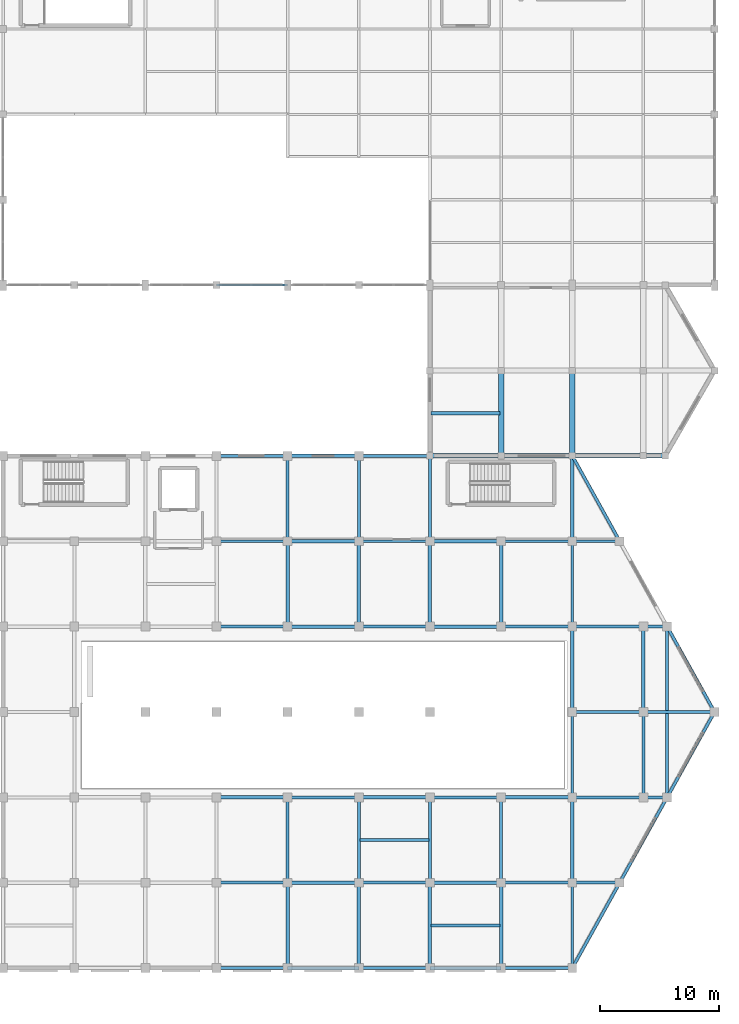
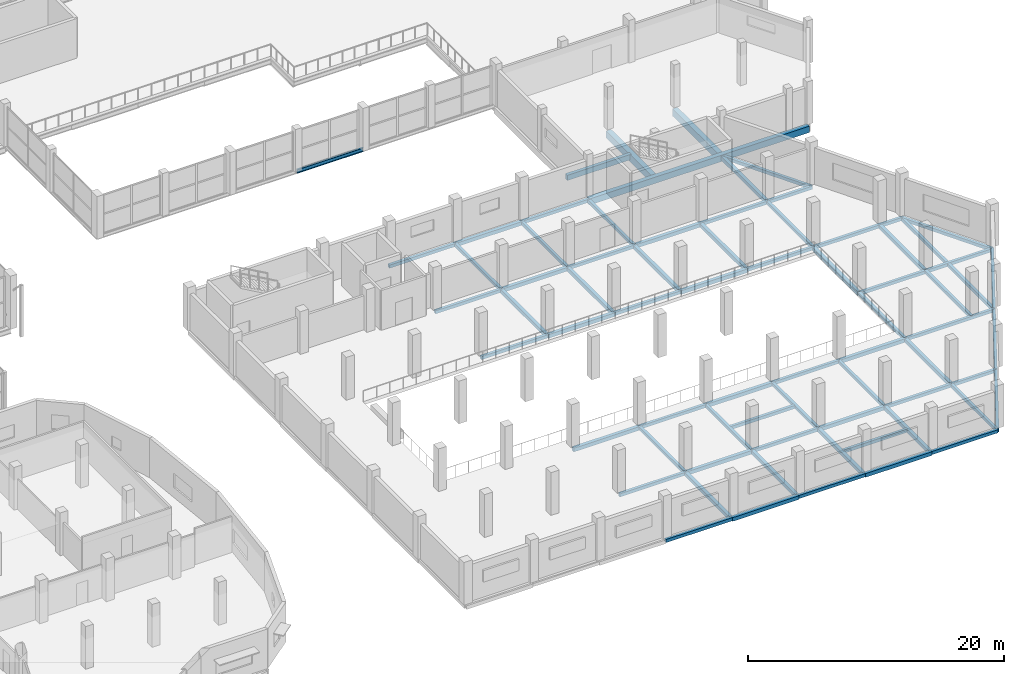
# One storey, part 72 of 127: 69 beams.
"""IFC4 building model written with IfcOpenShell, lengths in metres."""

import ifcopenshell
import ifcopenshell.guid

model = None  # the IFC model being written
_history = None  # IfcOwnerHistory: only IFC2X3 demands one
_inside = {}  # id of a spatial element -> (the spatial element, [elements in it])
_under = {}  # id of a project, library or spatial element -> (it, [spatial elements below it])
_declared = {}  # id of a project -> (the project, [libraries it declares])
_typed = {}  # id of a type object -> (the type object, [elements of that type])
_made_of = {}  # id of a material, layer set ... -> (it, [elements and type objects made of it])


def new_model(schema):
    """Start an empty IFC model of exactly this schema.

    Asked for "IFC4X3", IfcOpenShell would pick the latest addendum, in which some entities
    have other attributes; the version numbers below select the first issue.
    IFC2X3 requires an IfcOwnerHistory on every rooted entity: one is made here for all.
    """
    global model, _history
    if schema == "IFC4X3":
        model = ifcopenshell.file(schema_version=(4, 3, 0, 0))
    else:
        model = ifcopenshell.file(schema=schema)
    _inside.clear()
    _under.clear()
    _declared.clear()
    _typed.clear()
    _made_of.clear()
    _history = None
    if model.schema == "IFC2X3":
        org = make("IfcOrganization", Name="unknown")
        user = make(
            "IfcPersonAndOrganization",
            ThePerson=make("IfcPerson", FamilyName="unknown"),
            TheOrganization=org,
        )
        app = make(
            "IfcApplication",
            ApplicationDeveloper=org,
            Version="unknown",
            ApplicationFullName="unknown",
            ApplicationIdentifier="unknown",
        )
        _history = make(
            "IfcOwnerHistory",
            OwningUser=user,
            OwningApplication=app,
            ChangeAction="ADDED",
            CreationDate=0,
        )
    return model


def make(cls, **values):
    """One entity of the class cls with the attributes given. An attribute that is None is left unset."""
    return model.create_entity(
        cls, **{name: value for name, value in values.items() if value is not None}
    )


def rooted(cls, **values):
    """An entity with a GlobalId (a new one), such as an element, a storey or a relation."""
    return make(cls, GlobalId=ifcopenshell.guid.new(), OwnerHistory=_history, **values)


def si_unit(unit_type, name, prefix=None):
    """IfcSIUnit, for example si_unit("LENGTHUNIT", "METRE", prefix="MILLI")."""
    return make("IfcSIUnit", UnitType=unit_type, Prefix=prefix, Name=name)


def assignment(units):
    """IfcUnitAssignment: the units of a project."""
    return None if units is None else make("IfcUnitAssignment", Units=units)


def point(xyz):
    """IfcCartesianPoint."""
    return None if xyz is None else make("IfcCartesianPoint", Coordinates=xyz)


def direction(xyz):
    """IfcDirection."""
    return None if xyz is None else make("IfcDirection", DirectionRatios=xyz)


def frame(location, z_axis=None, x_axis=None):
    """IfcAxis2Placement3D, a coordinate frame: its origin and axes. An axis left out is left unset."""
    return make(
        "IfcAxis2Placement3D",
        Location=point(location),
        Axis=direction(z_axis),
        RefDirection=direction(x_axis),
    )


def frame_2d(location, x_axis=None):
    """IfcAxis2Placement2D, a coordinate frame in the plane: its origin and x axis."""
    return make(
        "IfcAxis2Placement2D", Location=point(location), RefDirection=direction(x_axis)
    )


def origin():
    """The frame at (0, 0, 0) with its axes left unset."""
    return frame((0.0, 0.0, 0.0))


def origin_2d():
    """The frame at (0, 0) in the plane with its x axis left unset."""
    return frame_2d((0.0, 0.0))


def place(relative_to, where):
    """IfcLocalPlacement: puts the frame where relative to a parent placement (None: the world)."""
    return make(
        "IfcLocalPlacement", PlacementRelTo=relative_to, RelativePlacement=where
    )


def context(
    kind, dimensions, precision=None, world=None, true_north=None, identifier=None
):
    """IfcGeometricRepresentationContext, for example the 3D "Model" context."""
    return make(
        "IfcGeometricRepresentationContext",
        ContextIdentifier=identifier,
        ContextType=kind,
        CoordinateSpaceDimension=dimensions,
        Precision=precision,
        WorldCoordinateSystem=world,
        TrueNorth=true_north,
    )


def subcontext(parent, identifier, kind, view, scale=None):
    """IfcGeometricRepresentationSubContext, for example "Body" below "Model"."""
    return make(
        "IfcGeometricRepresentationSubContext",
        ContextIdentifier=identifier,
        ContextType=kind,
        ParentContext=parent,
        TargetScale=scale,
        TargetView=view,
    )


def project(units=None, contexts=None):
    """IfcProject with its units and contexts."""
    return rooted(
        "IfcProject",
        Name="project",
        RepresentationContexts=contexts,
        UnitsInContext=assignment(units),
    )


def spatial(cls, under=None, at=None, **own):
    """A site, building, storey or space (cls), placed at a placement, below another one or the project."""
    s = rooted(cls, ObjectPlacement=at, **own)
    if under is not None:
        _under.setdefault(under.id(), (under, []))[1].append(s)
    return s


def profile(cls, at=None, kind="AREA", **sizes):
    """A parametric profile (cls). Its sizes go by their IFC names, for example OverallWidth=200.0."""
    return make(cls, ProfileType=kind, Position=at, **sizes)


def rectangle(**sizes):
    """IfcRectangleProfileDef."""
    return profile("IfcRectangleProfileDef", **sizes)


def i_section(**sizes):
    """IfcIShapeProfileDef."""
    return profile("IfcIShapeProfileDef", **sizes)


def extrude(swept, where, along, depth):
    """IfcExtrudedAreaSolid: the profile swept, set in the frame where, extruded along a direction by depth."""
    return make(
        "IfcExtrudedAreaSolid",
        SweptArea=swept,
        Position=where,
        ExtrudedDirection=direction(along),
        Depth=depth,
    )


def shape(context_of_items, identifier, shape_type, items):
    """IfcShapeRepresentation: the items that make up one representation, for example the "Body"."""
    return make(
        "IfcShapeRepresentation",
        ContextOfItems=context_of_items,
        RepresentationIdentifier=identifier,
        RepresentationType=shape_type,
        Items=items,
    )


def material(Name=None, Category=None):
    """IfcMaterial."""
    return make("IfcMaterial", Name=Name, Category=Category)


def material_profile(
    of_material, cross_section, Name=None, Category=None, Priority=None
):
    """IfcMaterialProfile: a cross section and its material."""
    return make(
        "IfcMaterialProfile",
        Name=Name,
        Material=of_material,
        Profile=cross_section,
        Priority=Priority,
        Category=Category,
    )


def profile_set(profiles, Name=None, composite=None):
    """IfcMaterialProfileSet."""
    return make(
        "IfcMaterialProfileSet",
        Name=Name,
        MaterialProfiles=profiles,
        CompositeProfile=composite,
    )


def made_of(thing, what):
    """Note that an element or type object is made of a material, layer set ...; save() writes the relation."""
    if what is not None:
        _made_of.setdefault(what.id(), (what, []))[1].append(thing)
    return thing


def type_object(cls, material=None, **own):
    """A type object (cls), such as IfcWallType, which elements share."""
    return made_of(rooted(cls, **own), material)


def element(
    cls,
    number,
    at=None,
    inside=None,
    cuts=None,
    type_object=None,
    material=None,
    context=None,
    identifier="Body",
    shape_type=None,
    held_by="IfcProductDefinitionShape",
    body=None,
    shapes=None,
    **own,
):
    """One element of the class cls, such as IfcWall. Its Tag is "e" and its number.

    at: its placement. inside: the storey or other place that contains it. cuts: it is an
    opening in that element (IfcRelVoidsElement). A single representation is given by context,
    identifier, shape_type and body (its items); several are given by shapes. held_by: the class
    of the entity that holds the representations. save() writes the other relations.
    """
    e = rooted(cls, Tag="e%d" % number, ObjectPlacement=at, **own)
    if body is not None:
        shapes = [shape(context, identifier, shape_type, body)]
    if shapes is not None:
        e.Representation = make(held_by, Representations=shapes)
    if inside is not None:
        _inside.setdefault(inside.id(), (inside, []))[1].append(e)
    if cuts is not None:
        rooted(
            "IfcRelVoidsElement", RelatingBuildingElement=cuts, RelatedOpeningElement=e
        )
    if type_object is not None:
        _typed.setdefault(type_object.id(), (type_object, []))[1].append(e)
    return made_of(e, material)


def aggregate(whole, parts):
    """IfcRelAggregates: a whole, such as a stair, and the parts it consists of."""
    return rooted("IfcRelAggregates", RelatingObject=whole, RelatedObjects=parts)


def save(model, path):
    """Write the relations noted so far, then the file.

    IfcRelAggregates (storeys below a building ...), IfcRelContainedInSpatialStructure (elements
    in a storey), IfcRelDefinesByType, IfcRelAssociatesMaterial and IfcRelDeclares: one each for
    every whole, place, type object, material and project.
    """
    for whole, parts in _under.values():
        aggregate(whole, parts)
    for where, things in _inside.values():
        rooted(
            "IfcRelContainedInSpatialStructure",
            RelatedElements=things,
            RelatingStructure=where,
        )
    for kind, things in _typed.values():
        rooted("IfcRelDefinesByType", RelatedObjects=things, RelatingType=kind)
    for what, things in _made_of.values():
        rooted("IfcRelAssociatesMaterial", RelatedObjects=things, RelatingMaterial=what)
    for by, libraries in _declared.values():
        rooted("IfcRelDeclares", RelatingContext=by, RelatedDefinitions=libraries)
    model.write(path)


model = new_model("IFC4")

# Units and contexts
model_context = context("Model", 3, precision=1e-05, world=origin(), true_north=direction((0.0, 1.0)))
body_context = subcontext(model_context, "Body", "Model", "MODEL_VIEW")
ifc_project = project(units=[si_unit("LENGTHUNIT", "METRE"), si_unit("AREAUNIT", "SQUARE_METRE"), si_unit("VOLUMEUNIT", "CUBIC_METRE"), si_unit("PLANEANGLEUNIT", "RADIAN"), si_unit("MASSUNIT", "GRAM", prefix="KILO")], contexts=[model_context])

# Site, building, storey
site_placement = place(None, origin())
site = spatial("IfcSite", under=ifc_project, at=site_placement, CompositionType="ELEMENT")
building_placement = place(site_placement, origin())
building = spatial("IfcBuilding", under=site, at=building_placement, Name="Dunvalen Ferry Terminal", CompositionType="ELEMENT")
storey_placement = place(building_placement, frame((0.0, 0.0, 5.760009765625)))
storey = spatial("IfcBuildingStorey", under=building, at=storey_placement, Name="L01", CompositionType="ELEMENT", Elevation=5.760009765625)

# Beams
ifc_material_1 = material(Name="Steel S355", Category="steel")
ifc_material_profile_1 = material_profile(ifc_material_1, i_section(OverallWidth=0.169921875, OverallDepth=0.360107421875, WebThickness=0.008056640625, FlangeThickness=0.0126953125, FilletRadius=0.01806640625, at=origin_2d()), Name="Steel S355")
ifc_profile_set_1 = profile_set([ifc_material_profile_1], Name="Steel S355")
beam_type_1 = type_object("IfcBeamType", Name="STR-BM-IPE360", PredefinedType="BEAM", material=ifc_profile_set_1)
beam_1_placement = place(storey_placement, frame((126.0, 57.60009765625, -0.159912109375), z_axis=(1.0, 0.0, 0.0), x_axis=(0.0, 1.0, 0.0)))
element("IfcBeam", 1, at=beam_1_placement, inside=storey, type_object=beam_type_1, Name="Arrivals Hall South Curtain-Wall Girt 04", PredefinedType="BEAM", context=body_context, shape_type="SweptSolid", body=[
    extrude(i_section(OverallWidth=0.169921875, OverallDepth=0.360107421875, WebThickness=0.008056640625, FlangeThickness=0.0126953125, FilletRadius=0.01806640625, at=origin_2d()), origin(), (0.0, 0.0, 1.0), 6.0),
])
ifc_material_2 = material(Name="Concrete C35/45", Category="concrete")
ifc_material_profile_2 = material_profile(ifc_material_2, rectangle(XDim=0.300048828125, YDim=0.5, at=origin_2d()), Name="Concrete C35/45")
ifc_profile_set_2 = profile_set([ifc_material_profile_2], Name="Concrete C35/45")
beam_type_2 = type_object("IfcBeamType", Name="STR-BM-RCB500", PredefinedType="JOIST", material=ifc_profile_set_2)
beam_2_placement = place(storey_placement, frame((144.10009765625, 46.800048828125, -0.510009765625), z_axis=(1.0, 0.0, 0.0), x_axis=(0.0, 1.0, 0.0)))
element("IfcBeam", 2, at=beam_2_placement, inside=storey, type_object=beam_type_2, Name="L01 V2A Secondary Joist 001", PredefinedType="JOIST", context=body_context, shape_type="SweptSolid", body=[
    extrude(rectangle(XDim=0.300048828125, YDim=0.5, at=origin_2d()), origin(), (0.0, 0.0, 1.0), 5.7998046875),
])
ifc_material_profile_3 = material_profile(ifc_material_2, rectangle(XDim=0.39990234375, YDim=0.60009765625, at=origin_2d()), Name="Concrete C35/45")
ifc_profile_set_3 = profile_set([ifc_material_profile_3], Name="Concrete C35/45")
beam_type_3 = type_object("IfcBeamType", Name="STR-BM-RCB600", PredefinedType="BEAM", material=ifc_profile_set_3)
beam_3_placement = place(storey_placement, frame((144.0, 43.199951171875, -0.56005859375), z_axis=(1.0, 0.0, 0.0), x_axis=(0.0, 1.0, 0.0)))
element("IfcBeam", 3, at=beam_3_placement, inside=storey, type_object=beam_type_3, Name="L01 Customs Annex Ring Beam 01", PredefinedType="BEAM", context=body_context, shape_type="SweptSolid", body=[
    extrude(rectangle(XDim=0.39990234375, YDim=0.60009765625, at=origin_2d()), origin(), (0.0, 0.0, 1.0), 19.843017578125),
])
ifc_material_3 = material(Name="Concrete C40/50", Category="concrete")
ifc_material_profile_4 = material_profile(ifc_material_3, rectangle(XDim=0.449951171875, YDim=0.699951171875, at=origin_2d()), Name="Concrete C40/50")
ifc_profile_set_4 = profile_set([ifc_material_profile_4], Name="Concrete C40/50")
beam_type_4 = type_object("IfcBeamType", Name="STR-BM-RCB700", PredefinedType="BEAM", material=ifc_profile_set_4)
for number, where, z_axis, x_axis, name in (
    (4, (150.0, 43.199951171875, -0.610107421875), (0.0, 1.0, 0.0), (-1.0, 0.0, 0.0), "L01 V2A Primary Girder Y-015"),
    (5, (156.0, 43.199951171875, -0.610107421875), (0.0, 1.0, 0.0), (-1.0, 0.0, 0.0), "L01 V2A Primary Girder Y-017"),
):
    element("IfcBeam", number, at=place(storey_placement, frame(where, z_axis=z_axis, x_axis=x_axis)), inside=storey, type_object=beam_type_4, Name=name, PredefinedType="BEAM", context=body_context, shape_type="SweptSolid", body=[
        extrude(rectangle(XDim=0.449951171875, YDim=0.699951171875, at=origin_2d()), origin(), (0.0, 0.0, 1.0), 7.199951171875),
    ])
ifc_material_profile_5 = material_profile(ifc_material_2, rectangle(XDim=0.25, YDim=0.300048828125, at=origin_2d()), Name="Concrete C35/45")
ifc_profile_set_5 = profile_set([ifc_material_profile_5], Name="Concrete C35/45")
beam_type_5 = type_object("IfcBeamType", Name="STR-BM-RCL300", PredefinedType="LINTEL", material=ifc_profile_set_5)
for number, where, z_axis, x_axis, name in (
    (6, (156.0, 0.0, -0.469970703125), (0.485645447903, 0.874155877937, 0.0), (-0.874155877937, 0.485645447903, 0.0), "L01 Hexagon-Cut Wing Perimeter Beam 1"),
    (7, (160.0, 7.199951171875, -0.469970703125), (0.485645447903, 0.874155877937, 0.0), (-0.874155877937, 0.485645447903, 0.0), "L01 Hexagon-Cut Wing Perimeter Beam 2"),
    (8, (164.0, 14.39990234375, -0.469970703125), (0.485632864501, 0.874162868644, 0.0), (-0.874162868644, 0.485632864501, 0.0), "L01 Hexagon-Cut Wing Perimeter Beam 3"),
    (9, (168.0, 21.60009765625, -0.469970703125), (-0.485645447903, 0.874155877937, 0.0), (-0.874155877937, -0.485645447903, 0.0), "L01 Hexagon-Cut Wing Perimeter Beam 4"),
    (10, (160.0, 36.0, -0.469970703125), (-0.485645447903, 0.874155877937, 0.0), (-0.874155877937, -0.485645447903, 0.0), "L01 Hexagon-Cut Wing Perimeter Beam 6"),
):
    element("IfcBeam", number, at=place(storey_placement, frame(where, z_axis=z_axis, x_axis=x_axis)), inside=storey, type_object=beam_type_5, Name=name, PredefinedType="LINTEL", context=body_context, shape_type="SweptSolid", body=[
        extrude(rectangle(XDim=0.25, YDim=0.300048828125, at=origin_2d()), origin(), (0.0, 0.0, 1.0), 8.236572265625),
    ])
beam_4_placement = place(storey_placement, frame((156.0, 7.199951171875, -0.469970703125), z_axis=(1.0, 0.0, 0.0), x_axis=(0.0, 1.0, 0.0)))
element("IfcBeam", 11, at=beam_4_placement, inside=storey, type_object=beam_type_5, Name="L01 Hexagon-Cut Wing Tie Beam Y7", PredefinedType="LINTEL", context=body_context, shape_type="SweptSolid", body=[
    extrude(rectangle(XDim=0.25, YDim=0.300048828125, at=origin_2d()), origin(), (0.0, 0.0, 1.0), 4.0),
])
beam_5_placement = place(storey_placement, frame((156.0, 14.39990234375, -0.469970703125), z_axis=(1.0, 0.0, 0.0), x_axis=(0.0, 1.0, 0.0)))
element("IfcBeam", 12, at=beam_5_placement, inside=storey, type_object=beam_type_5, Name="L01 Hexagon-Cut Wing Tie Beam Y14", PredefinedType="LINTEL", context=body_context, shape_type="SweptSolid", body=[
    extrude(rectangle(XDim=0.25, YDim=0.300048828125, at=origin_2d()), origin(), (0.0, 0.0, 1.0), 8.0),
])
beam_6_placement = place(storey_placement, frame((156.0, 21.60009765625, -0.469970703125), z_axis=(1.0, 0.0, 0.0), x_axis=(0.0, 1.0, 0.0)))
element("IfcBeam", 13, at=beam_6_placement, inside=storey, type_object=beam_type_5, Name="L01 Hexagon-Cut Wing Tie Beam Y21", PredefinedType="LINTEL", context=body_context, shape_type="SweptSolid", body=[
    extrude(rectangle(XDim=0.25, YDim=0.300048828125, at=origin_2d()), origin(), (0.0, 0.0, 1.0), 12.0),
])
beam_7_placement = place(storey_placement, frame((156.0, 28.800048828125, -0.469970703125), z_axis=(1.0, 0.0, 0.0), x_axis=(0.0, 1.0, 0.0)))
element("IfcBeam", 14, at=beam_7_placement, inside=storey, type_object=beam_type_5, Name="L01 Hexagon-Cut Wing Tie Beam Y28", PredefinedType="LINTEL", context=body_context, shape_type="SweptSolid", body=[
    extrude(rectangle(XDim=0.25, YDim=0.300048828125, at=origin_2d()), origin(), (0.0, 0.0, 1.0), 8.0),
])
beam_8_placement = place(storey_placement, frame((156.0, 36.0, -0.469970703125), z_axis=(1.0, 0.0, 0.0), x_axis=(0.0, 1.0, 0.0)))
element("IfcBeam", 15, at=beam_8_placement, inside=storey, type_object=beam_type_5, Name="L01 Hexagon-Cut Wing Tie Beam Y36", PredefinedType="LINTEL", context=body_context, shape_type="SweptSolid", body=[
    extrude(rectangle(XDim=0.25, YDim=0.300048828125, at=origin_2d()), origin(), (0.0, 0.0, 1.0), 4.0),
])
for number, where, z_axis, x_axis, name in (
    (16, (126.0, 0.0, -0.469970703125), (1.0, 0.0, 0.0), (0.0, 1.0, 0.0), "L01 V4 Primary Beam X-004"),
    (17, (138.0, 0.0, -0.469970703125), (1.0, 0.0, 0.0), (0.0, 1.0, 0.0), "L01 V4 Primary Beam X-006"),
    (18, (150.0, 0.0, -0.469970703125), (1.0, 0.0, 0.0), (0.0, 1.0, 0.0), "L01 V4 Primary Beam X-008"),
    (19, (126.0, 7.199951171875, -0.469970703125), (1.0, 0.0, 0.0), (0.0, 1.0, 0.0), "L01 V4 Primary Beam X-012"),
    (20, (138.0, 7.199951171875, -0.469970703125), (1.0, 0.0, 0.0), (0.0, 1.0, 0.0), "L01 V4 Primary Beam X-014"),
    (21, (150.0, 7.199951171875, -0.469970703125), (1.0, 0.0, 0.0), (0.0, 1.0, 0.0), "L01 V4 Primary Beam X-016"),
    (22, (132.0, 14.39990234375, -0.469970703125), (1.0, 0.0, 0.0), (0.0, 1.0, 0.0), "L01 V4 Primary Beam X-022"),
    (23, (144.0, 14.39990234375, -0.469970703125), (1.0, 0.0, 0.0), (0.0, 1.0, 0.0), "L01 V4 Primary Beam X-024"),
    (24, (126.0, 28.800048828125, -0.469970703125), (1.0, 0.0, 0.0), (0.0, 1.0, 0.0), "L01 V4 Primary Beam X-034"),
    (25, (138.0, 28.800048828125, -0.469970703125), (1.0, 0.0, 0.0), (0.0, 1.0, 0.0), "L01 V4 Primary Beam X-036"),
    (26, (150.0, 28.800048828125, -0.469970703125), (1.0, 0.0, 0.0), (0.0, 1.0, 0.0), "L01 V4 Primary Beam X-038"),
    (27, (126.0, 36.0, -0.469970703125), (1.0, 0.0, 0.0), (0.0, 1.0, 0.0), "L01 V4 Primary Beam X-044"),
    (28, (138.0, 36.0, -0.469970703125), (1.0, 0.0, 0.0), (0.0, 1.0, 0.0), "L01 V4 Primary Beam X-046"),
    (29, (150.0, 36.0, -0.469970703125), (1.0, 0.0, 0.0), (0.0, 1.0, 0.0), "L01 V4 Primary Beam X-048"),
    (30, (126.0, 43.199951171875, -0.469970703125), (1.0, 0.0, 0.0), (0.0, 1.0, 0.0), "L01 V4 Primary Beam X-052"),
    (31, (138.0, 43.199951171875, -0.469970703125), (1.0, 0.0, 0.0), (0.0, 1.0, 0.0), "L01 V4 Primary Beam X-054"),
):
    element("IfcBeam", number, at=place(storey_placement, frame(where, z_axis=z_axis, x_axis=x_axis)), inside=storey, type_object=beam_type_5, Name=name, PredefinedType="LINTEL", context=body_context, shape_type="SweptSolid", body=[
        extrude(rectangle(XDim=0.25, YDim=0.300048828125, at=origin_2d()), origin(), (0.0, 0.0, 1.0), 6.0),
    ])
for number, where, z_axis, x_axis, name in (
    (32, (132.0, 7.199951171875, -0.469970703125), (0.0, 1.0, 0.0), (-1.0, 0.0, 0.0), "L01 V4 Primary Girder Y-077"),
    (33, (132.0, 36.0, -0.469970703125), (0.0, 1.0, 0.0), (-1.0, 0.0, 0.0), "L01 V4 Primary Girder Y-079"),
    (34, (138.0, 7.199951171875, -0.469970703125), (0.0, 1.0, 0.0), (-1.0, 0.0, 0.0), "L01 V4 Primary Girder Y-081"),
    (35, (138.0, 36.0, -0.469970703125), (0.0, 1.0, 0.0), (-1.0, 0.0, 0.0), "L01 V4 Primary Girder Y-083"),
    (36, (144.0, 7.199951171875, -0.469970703125), (0.0, 1.0, 0.0), (-1.0, 0.0, 0.0), "L01 V4 Primary Girder Y-085"),
    (37, (144.0, 36.0, -0.469970703125), (0.0, 1.0, 0.0), (-1.0, 0.0, 0.0), "L01 V4 Primary Girder Y-087"),
    (38, (150.0, 7.199951171875, -0.469970703125), (0.0, 1.0, 0.0), (-1.0, 0.0, 0.0), "L01 V4 Primary Girder Y-089"),
    (39, (156.0, 0.0, -0.469970703125), (0.0, 1.0, 0.0), (-1.0, 0.0, 0.0), "L01 V4 Primary Girder Y-091"),
):
    element("IfcBeam", number, at=place(storey_placement, frame(where, z_axis=z_axis, x_axis=x_axis)), inside=storey, type_object=beam_type_5, Name=name, PredefinedType="LINTEL", context=body_context, shape_type="SweptSolid", body=[
        extrude(rectangle(XDim=0.25, YDim=0.300048828125, at=origin_2d()), origin(), (0.0, 0.0, 1.0), 7.199951171875),
    ])
beam_9_placement = place(storey_placement, frame((156.0, 14.39990234375, -0.469970703125), z_axis=(0.0, 1.0, 0.0), x_axis=(-1.0, 0.0, 0.0)))
element("IfcBeam", 40, at=beam_9_placement, inside=storey, type_object=beam_type_5, Name="L01 V4 Primary Girder Y-093", PredefinedType="LINTEL", context=body_context, shape_type="SweptSolid", body=[
    extrude(rectangle(XDim=0.25, YDim=0.300048828125, at=origin_2d()), origin(), (0.0, 0.0, 1.0), 7.2001953125),
])
beam_10_placement = place(storey_placement, frame((156.0, 28.800048828125, -0.469970703125), z_axis=(0.0, 1.0, 0.0), x_axis=(-1.0, 0.0, 0.0)))
element("IfcBeam", 41, at=beam_10_placement, inside=storey, type_object=beam_type_5, Name="L01 V4 Primary Girder Y-095", PredefinedType="LINTEL", context=body_context, shape_type="SweptSolid", body=[
    extrude(rectangle(XDim=0.25, YDim=0.300048828125, at=origin_2d()), origin(), (0.0, 0.0, 1.0), 7.199951171875),
])
beam_11_placement = place(storey_placement, frame((162.0, 14.39990234375, -0.469970703125), z_axis=(0.0, 1.0, 0.0), x_axis=(-1.0, 0.0, 0.0)))
element("IfcBeam", 42, at=beam_11_placement, inside=storey, type_object=beam_type_5, Name="L01 V4 Primary Girder Y-097", PredefinedType="LINTEL", context=body_context, shape_type="SweptSolid", body=[
    extrude(rectangle(XDim=0.25, YDim=0.300048828125, at=origin_2d()), origin(), (0.0, 0.0, 1.0), 7.2001953125),
])
beam_12_placement = place(storey_placement, frame((164.0, 14.39990234375, -0.469970703125), z_axis=(0.0, 1.0, 0.0), x_axis=(-1.0, 0.0, 0.0)))
element("IfcBeam", 43, at=beam_12_placement, inside=storey, type_object=beam_type_5, Name="L01 V4 Primary Girder Y-099", PredefinedType="LINTEL", context=body_context, shape_type="SweptSolid", body=[
    extrude(rectangle(XDim=0.25, YDim=0.300048828125, at=origin_2d()), origin(), (0.0, 0.0, 1.0), 14.400146484375),
])
for number, where, z_axis, x_axis, name in (
    (44, (138.10009765625, 10.800048828125, -0.469970703125), (1.0, 0.0, 0.0), (0.0, 1.0, 0.0), "L01 V4 Secondary Joist 003"),
    (45, (144.10009765625, 3.60009765625, -0.469970703125), (1.0, 0.0, 0.0), (0.0, 1.0, 0.0), "L01 V4 Secondary Joist 004"),
):
    element("IfcBeam", number, at=place(storey_placement, frame(where, z_axis=z_axis, x_axis=x_axis)), inside=storey, type_object=beam_type_5, Name=name, PredefinedType="LINTEL", context=body_context, shape_type="SweptSolid", body=[
        extrude(rectangle(XDim=0.25, YDim=0.300048828125, at=origin_2d()), origin(), (0.0, 0.0, 1.0), 5.7998046875),
    ])
ifc_material_profile_6 = material_profile(ifc_material_3, rectangle(XDim=0.300048828125, YDim=0.35009765625, at=origin_2d()), Name="Concrete C40/50")
ifc_profile_set_6 = profile_set([ifc_material_profile_6], Name="Concrete C40/50")
beam_type_6 = type_object("IfcBeamType", Name="STR-BM-RCL350", PredefinedType="LINTEL", material=ifc_profile_set_6)
for number, where, z_axis, x_axis, name in (
    (46, (132.0, 0.0, -0.4951171875), (1.0, 0.0, 0.0), (0.0, 1.0, 0.0), "L01 V4 Primary Beam X-005"),
    (47, (144.0, 0.0, -0.4951171875), (1.0, 0.0, 0.0), (0.0, 1.0, 0.0), "L01 V4 Primary Beam X-007"),
    (48, (132.0, 7.199951171875, -0.4951171875), (1.0, 0.0, 0.0), (0.0, 1.0, 0.0), "L01 V4 Primary Beam X-013"),
    (49, (144.0, 7.199951171875, -0.4951171875), (1.0, 0.0, 0.0), (0.0, 1.0, 0.0), "L01 V4 Primary Beam X-015"),
    (50, (126.0, 14.39990234375, -0.4951171875), (1.0, 0.0, 0.0), (0.0, 1.0, 0.0), "L01 V4 Primary Beam X-021"),
    (51, (138.0, 14.39990234375, -0.4951171875), (1.0, 0.0, 0.0), (0.0, 1.0, 0.0), "L01 V4 Primary Beam X-023"),
    (52, (150.0, 14.39990234375, -0.4951171875), (1.0, 0.0, 0.0), (0.0, 1.0, 0.0), "L01 V4 Primary Beam X-025"),
    (53, (132.0, 28.800048828125, -0.4951171875), (1.0, 0.0, 0.0), (0.0, 1.0, 0.0), "L01 V4 Primary Beam X-035"),
    (54, (144.0, 28.800048828125, -0.4951171875), (1.0, 0.0, 0.0), (0.0, 1.0, 0.0), "L01 V4 Primary Beam X-037"),
    (55, (132.0, 36.0, -0.4951171875), (1.0, 0.0, 0.0), (0.0, 1.0, 0.0), "L01 V4 Primary Beam X-045"),
    (56, (144.0, 36.0, -0.4951171875), (1.0, 0.0, 0.0), (0.0, 1.0, 0.0), "L01 V4 Primary Beam X-047"),
    (57, (132.0, 43.199951171875, -0.4951171875), (1.0, 0.0, 0.0), (0.0, 1.0, 0.0), "L01 V4 Primary Beam X-053"),
):
    element("IfcBeam", number, at=place(storey_placement, frame(where, z_axis=z_axis, x_axis=x_axis)), inside=storey, type_object=beam_type_6, Name=name, PredefinedType="LINTEL", context=body_context, shape_type="SweptSolid", body=[
        extrude(rectangle(XDim=0.300048828125, YDim=0.35009765625, at=origin_2d()), origin(), (0.0, 0.0, 1.0), 6.0),
    ])
for number, where, z_axis, x_axis, name in (
    (58, (132.0, 0.0, -0.4951171875), (0.0, 1.0, 0.0), (-1.0, 0.0, 0.0), "L01 V4 Primary Girder Y-076"),
    (59, (132.0, 28.800048828125, -0.4951171875), (0.0, 1.0, 0.0), (-1.0, 0.0, 0.0), "L01 V4 Primary Girder Y-078"),
    (60, (138.0, 0.0, -0.4951171875), (0.0, 1.0, 0.0), (-1.0, 0.0, 0.0), "L01 V4 Primary Girder Y-080"),
    (61, (138.0, 28.800048828125, -0.4951171875), (0.0, 1.0, 0.0), (-1.0, 0.0, 0.0), "L01 V4 Primary Girder Y-082"),
    (62, (144.0, 0.0, -0.4951171875), (0.0, 1.0, 0.0), (-1.0, 0.0, 0.0), "L01 V4 Primary Girder Y-084"),
    (63, (144.0, 28.800048828125, -0.4951171875), (0.0, 1.0, 0.0), (-1.0, 0.0, 0.0), "L01 V4 Primary Girder Y-086"),
    (64, (150.0, 0.0, -0.4951171875), (0.0, 1.0, 0.0), (-1.0, 0.0, 0.0), "L01 V4 Primary Girder Y-088"),
    (65, (150.0, 28.800048828125, -0.4951171875), (0.0, 1.0, 0.0), (-1.0, 0.0, 0.0), "L01 V4 Primary Girder Y-090"),
    (66, (156.0, 7.199951171875, -0.4951171875), (0.0, 1.0, 0.0), (-1.0, 0.0, 0.0), "L01 V4 Primary Girder Y-092"),
    (67, (156.0, 21.60009765625, -0.4951171875), (0.0, 1.0, 0.0), (-1.0, 0.0, 0.0), "L01 V4 Primary Girder Y-094"),
    (68, (156.0, 36.0, -0.4951171875), (0.0, 1.0, 0.0), (-1.0, 0.0, 0.0), "L01 V4 Primary Girder Y-096"),
    (69, (162.0, 21.60009765625, -0.4951171875), (0.0, 1.0, 0.0), (-1.0, 0.0, 0.0), "L01 V4 Primary Girder Y-098"),
):
    element("IfcBeam", number, at=place(storey_placement, frame(where, z_axis=z_axis, x_axis=x_axis)), inside=storey, type_object=beam_type_6, Name=name, PredefinedType="LINTEL", context=body_context, shape_type="SweptSolid", body=[
        extrude(rectangle(XDim=0.300048828125, YDim=0.35009765625, at=origin_2d()), origin(), (0.0, 0.0, 1.0), 7.199951171875),
    ])

save(model, "model.ifc")
